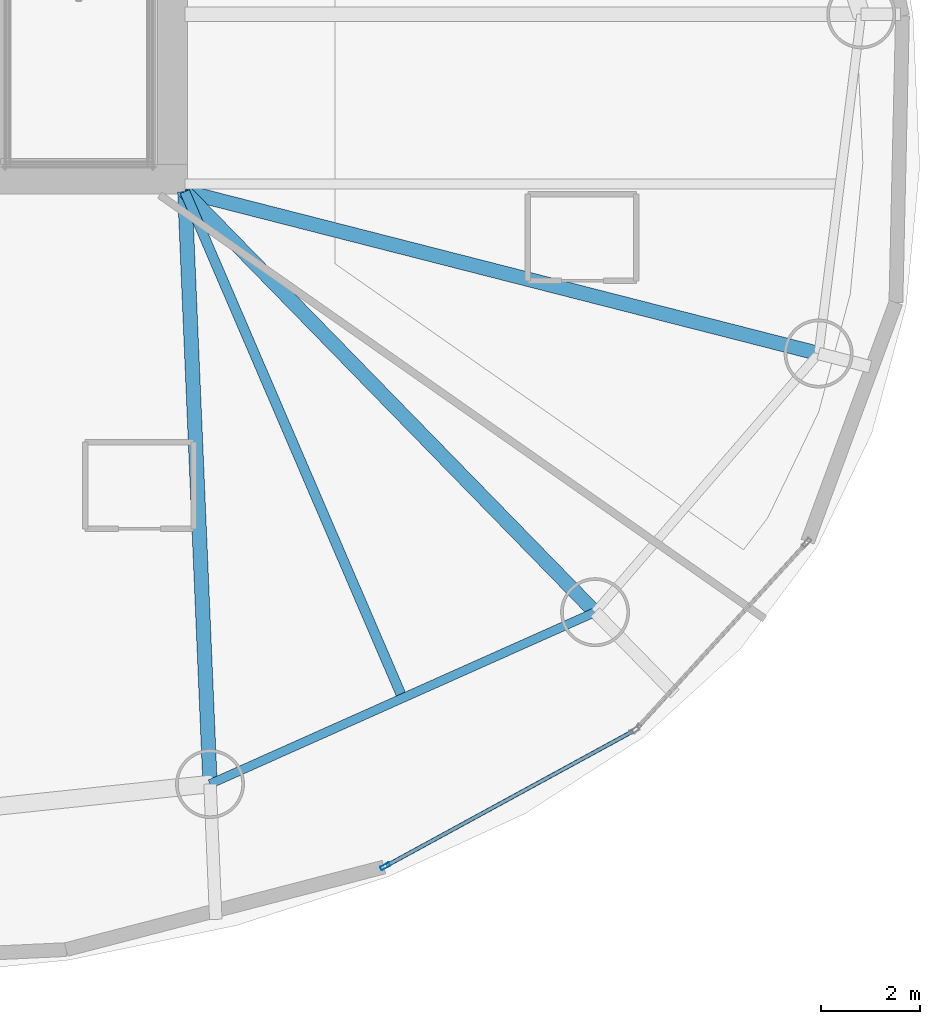
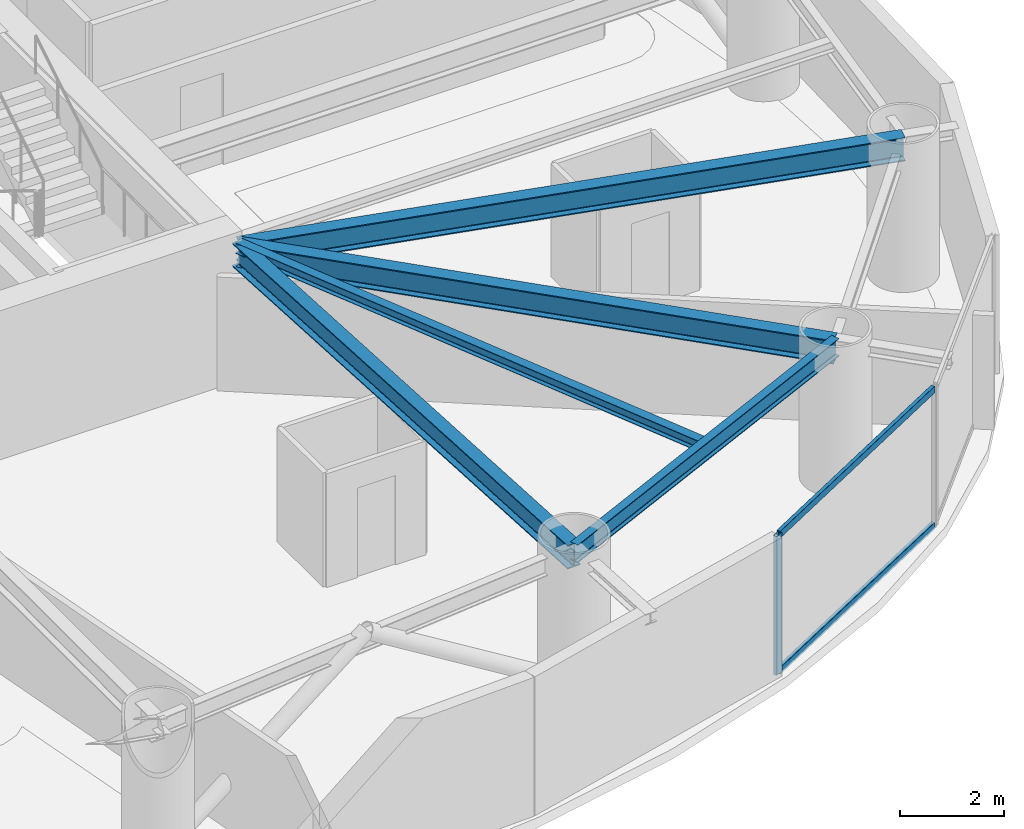
# One storey, part 8 of 20: 5 beams, 3 members, 1 element without a shape of its own.
"""IFC4 building model written with IfcOpenShell, lengths in metres."""

import ifcopenshell
import ifcopenshell.guid

model = None  # the IFC model being written
_history = None  # IfcOwnerHistory: only IFC2X3 demands one
_inside = {}  # id of a spatial element -> (the spatial element, [elements in it])
_under = {}  # id of a project, library or spatial element -> (it, [spatial elements below it])
_declared = {}  # id of a project -> (the project, [libraries it declares])
_typed = {}  # id of a type object -> (the type object, [elements of that type])
_made_of = {}  # id of a material, layer set ... -> (it, [elements and type objects made of it])


def new_model(schema):
    """Start an empty IFC model of exactly this schema.

    Asked for "IFC4X3", IfcOpenShell would pick the latest addendum, in which some entities
    have other attributes; the version numbers below select the first issue.
    IFC2X3 requires an IfcOwnerHistory on every rooted entity: one is made here for all.
    """
    global model, _history
    if schema == "IFC4X3":
        model = ifcopenshell.file(schema_version=(4, 3, 0, 0))
    else:
        model = ifcopenshell.file(schema=schema)
    _inside.clear()
    _under.clear()
    _declared.clear()
    _typed.clear()
    _made_of.clear()
    _history = None
    if model.schema == "IFC2X3":
        org = make("IfcOrganization", Name="unknown")
        user = make(
            "IfcPersonAndOrganization",
            ThePerson=make("IfcPerson", FamilyName="unknown"),
            TheOrganization=org,
        )
        app = make(
            "IfcApplication",
            ApplicationDeveloper=org,
            Version="unknown",
            ApplicationFullName="unknown",
            ApplicationIdentifier="unknown",
        )
        _history = make(
            "IfcOwnerHistory",
            OwningUser=user,
            OwningApplication=app,
            ChangeAction="ADDED",
            CreationDate=0,
        )
    return model


def make(cls, **values):
    """One entity of the class cls with the attributes given. An attribute that is None is left unset."""
    return model.create_entity(
        cls, **{name: value for name, value in values.items() if value is not None}
    )


def rooted(cls, **values):
    """An entity with a GlobalId (a new one), such as an element, a storey or a relation."""
    return make(cls, GlobalId=ifcopenshell.guid.new(), OwnerHistory=_history, **values)


def si_unit(unit_type, name, prefix=None):
    """IfcSIUnit, for example si_unit("LENGTHUNIT", "METRE", prefix="MILLI")."""
    return make("IfcSIUnit", UnitType=unit_type, Prefix=prefix, Name=name)


def assignment(units):
    """IfcUnitAssignment: the units of a project."""
    return None if units is None else make("IfcUnitAssignment", Units=units)


def point(xyz):
    """IfcCartesianPoint."""
    return None if xyz is None else make("IfcCartesianPoint", Coordinates=xyz)


def direction(xyz):
    """IfcDirection."""
    return None if xyz is None else make("IfcDirection", DirectionRatios=xyz)


def frame(location, z_axis=None, x_axis=None):
    """IfcAxis2Placement3D, a coordinate frame: its origin and axes. An axis left out is left unset."""
    return make(
        "IfcAxis2Placement3D",
        Location=point(location),
        Axis=direction(z_axis),
        RefDirection=direction(x_axis),
    )


def frame_2d(location, x_axis=None):
    """IfcAxis2Placement2D, a coordinate frame in the plane: its origin and x axis."""
    return make(
        "IfcAxis2Placement2D", Location=point(location), RefDirection=direction(x_axis)
    )


def origin():
    """The frame at (0, 0, 0) with its axes left unset."""
    return frame((0.0, 0.0, 0.0))


def origin_2d():
    """The frame at (0, 0) in the plane with its x axis left unset."""
    return frame_2d((0.0, 0.0))


def place(relative_to, where):
    """IfcLocalPlacement: puts the frame where relative to a parent placement (None: the world)."""
    return make(
        "IfcLocalPlacement", PlacementRelTo=relative_to, RelativePlacement=where
    )


def context(
    kind, dimensions, precision=None, world=None, true_north=None, identifier=None
):
    """IfcGeometricRepresentationContext, for example the 3D "Model" context."""
    return make(
        "IfcGeometricRepresentationContext",
        ContextIdentifier=identifier,
        ContextType=kind,
        CoordinateSpaceDimension=dimensions,
        Precision=precision,
        WorldCoordinateSystem=world,
        TrueNorth=true_north,
    )


def subcontext(parent, identifier, kind, view, scale=None):
    """IfcGeometricRepresentationSubContext, for example "Body" below "Model"."""
    return make(
        "IfcGeometricRepresentationSubContext",
        ContextIdentifier=identifier,
        ContextType=kind,
        ParentContext=parent,
        TargetScale=scale,
        TargetView=view,
    )


def project(units=None, contexts=None):
    """IfcProject with its units and contexts."""
    return rooted(
        "IfcProject",
        Name="project",
        RepresentationContexts=contexts,
        UnitsInContext=assignment(units),
    )


def spatial(cls, under=None, at=None, **own):
    """A site, building, storey or space (cls), placed at a placement, below another one or the project."""
    s = rooted(cls, ObjectPlacement=at, **own)
    if under is not None:
        _under.setdefault(under.id(), (under, []))[1].append(s)
    return s


def profile(cls, at=None, kind="AREA", **sizes):
    """A parametric profile (cls). Its sizes go by their IFC names, for example OverallWidth=200.0."""
    return make(cls, ProfileType=kind, Position=at, **sizes)


def hollow_rectangle(**sizes):
    """IfcRectangleHollowProfileDef."""
    return profile("IfcRectangleHollowProfileDef", **sizes)


def i_section(**sizes):
    """IfcIShapeProfileDef."""
    return profile("IfcIShapeProfileDef", **sizes)


def extrude(swept, where, along, depth):
    """IfcExtrudedAreaSolid: the profile swept, set in the frame where, extruded along a direction by depth."""
    return make(
        "IfcExtrudedAreaSolid",
        SweptArea=swept,
        Position=where,
        ExtrudedDirection=direction(along),
        Depth=depth,
    )


def shape(context_of_items, identifier, shape_type, items):
    """IfcShapeRepresentation: the items that make up one representation, for example the "Body"."""
    return make(
        "IfcShapeRepresentation",
        ContextOfItems=context_of_items,
        RepresentationIdentifier=identifier,
        RepresentationType=shape_type,
        Items=items,
    )


def material(Name=None, Category=None):
    """IfcMaterial."""
    return make("IfcMaterial", Name=Name, Category=Category)


def layer(
    of_material, thickness, ventilated=None, Name=None, Category=None, Priority=None
):
    """IfcMaterialLayer: one layer of a wall or slab, of a material (None: an air gap)."""
    return make(
        "IfcMaterialLayer",
        Material=of_material,
        LayerThickness=thickness,
        IsVentilated=ventilated,
        Name=Name,
        Category=Category,
        Priority=Priority,
    )


def layer_set(layers, Name=None):
    """IfcMaterialLayerSet."""
    return make("IfcMaterialLayerSet", MaterialLayers=layers, LayerSetName=Name)


def material_profile(
    of_material, cross_section, Name=None, Category=None, Priority=None
):
    """IfcMaterialProfile: a cross section and its material."""
    return make(
        "IfcMaterialProfile",
        Name=Name,
        Material=of_material,
        Profile=cross_section,
        Priority=Priority,
        Category=Category,
    )


def profile_set(profiles, Name=None, composite=None):
    """IfcMaterialProfileSet."""
    return make(
        "IfcMaterialProfileSet",
        Name=Name,
        MaterialProfiles=profiles,
        CompositeProfile=composite,
    )


def made_of(thing, what):
    """Note that an element or type object is made of a material, layer set ...; save() writes the relation."""
    if what is not None:
        _made_of.setdefault(what.id(), (what, []))[1].append(thing)
    return thing


def type_object(cls, material=None, **own):
    """A type object (cls), such as IfcWallType, which elements share."""
    return made_of(rooted(cls, **own), material)


def element(
    cls,
    number,
    at=None,
    inside=None,
    cuts=None,
    type_object=None,
    material=None,
    context=None,
    identifier="Body",
    shape_type=None,
    held_by="IfcProductDefinitionShape",
    body=None,
    shapes=None,
    **own,
):
    """One element of the class cls, such as IfcWall. Its Tag is "e" and its number.

    at: its placement. inside: the storey or other place that contains it. cuts: it is an
    opening in that element (IfcRelVoidsElement). A single representation is given by context,
    identifier, shape_type and body (its items); several are given by shapes. held_by: the class
    of the entity that holds the representations. save() writes the other relations.
    """
    e = rooted(cls, Tag="e%d" % number, ObjectPlacement=at, **own)
    if body is not None:
        shapes = [shape(context, identifier, shape_type, body)]
    if shapes is not None:
        e.Representation = make(held_by, Representations=shapes)
    if inside is not None:
        _inside.setdefault(inside.id(), (inside, []))[1].append(e)
    if cuts is not None:
        rooted(
            "IfcRelVoidsElement", RelatingBuildingElement=cuts, RelatedOpeningElement=e
        )
    if type_object is not None:
        _typed.setdefault(type_object.id(), (type_object, []))[1].append(e)
    return made_of(e, material)


def aggregate(whole, parts):
    """IfcRelAggregates: a whole, such as a stair, and the parts it consists of."""
    return rooted("IfcRelAggregates", RelatingObject=whole, RelatedObjects=parts)


def save(model, path):
    """Write the relations noted so far, then the file.

    IfcRelAggregates (storeys below a building ...), IfcRelContainedInSpatialStructure (elements
    in a storey), IfcRelDefinesByType, IfcRelAssociatesMaterial and IfcRelDeclares: one each for
    every whole, place, type object, material and project.
    """
    for whole, parts in _under.values():
        aggregate(whole, parts)
    for where, things in _inside.values():
        rooted(
            "IfcRelContainedInSpatialStructure",
            RelatedElements=things,
            RelatingStructure=where,
        )
    for kind, things in _typed.values():
        rooted("IfcRelDefinesByType", RelatedObjects=things, RelatingType=kind)
    for what, things in _made_of.values():
        rooted("IfcRelAssociatesMaterial", RelatedObjects=things, RelatingMaterial=what)
    for by, libraries in _declared.values():
        rooted("IfcRelDeclares", RelatingContext=by, RelatedDefinitions=libraries)
    model.write(path)


model = new_model("IFC4")

# Units and contexts
model_context = context("Model", 3, precision=1e-05, world=origin(), true_north=direction((0.0, 1.0)))
body_context = subcontext(model_context, "Body", "Model", "MODEL_VIEW")
ifc_project = project(units=[si_unit("LENGTHUNIT", "METRE"), si_unit("AREAUNIT", "SQUARE_METRE"), si_unit("VOLUMEUNIT", "CUBIC_METRE"), si_unit("PLANEANGLEUNIT", "RADIAN"), si_unit("MASSUNIT", "GRAM", prefix="KILO")], contexts=[model_context])

# Site, building, storey
site_placement = place(None, origin())
site = spatial("IfcSite", under=ifc_project, at=site_placement, CompositionType="ELEMENT")
building_placement = place(site_placement, origin())
building = spatial("IfcBuilding", under=site, at=building_placement, Name="Bramvorn Convention Spire", CompositionType="ELEMENT")
storey_placement = place(building_placement, frame((0.0, 0.0, 155.300048828125)))
storey = spatial("IfcBuildingStorey", under=building, at=storey_placement, Name="L39", CompositionType="ELEMENT", Elevation=155.300048828125)

# Beams
ifc_material_1 = material(Name="Steel CSA G40.21 Grade 350 (350W)", Category="steel")
ifc_material_profile_1 = material_profile(ifc_material_1, i_section(OverallWidth=0.201904296875, OverallDepth=0.2470703125, WebThickness=0.00732421875, FlangeThickness=0.010986328125, FilletRadius=0.011962890625, at=origin_2d()))
ifc_profile_set_1 = profile_set([ifc_material_profile_1], Name="Steel CSA G40.21 Grade 350 (350W) - W250X49")
beam_type_1 = type_object("IfcBeamType", Name="BM-W250X49", PredefinedType="JOIST", material=ifc_profile_set_1)
beam_1_placement = place(storey_placement, frame((49.25, 18.550048828125, 3.136474609375), z_axis=(0.394937739893, -0.918707886985, 0.0), x_axis=(0.918707886985, 0.394937739893, 0.0)))
element("IfcBeam", 1, at=beam_1_placement, inside=storey, type_object=beam_type_1, Name="L39 composite floor joist 15", PredefinedType="JOIST", context=body_context, shape_type="SweptSolid", body=[
    extrude(i_section(OverallWidth=0.201904296875, OverallDepth=0.2470703125, WebThickness=0.00732421875, FlangeThickness=0.010986328125, FilletRadius=0.011962890625, at=origin_2d()), origin(), (0.0, 0.0, 1.0), 11.19384765625),
])
ifc_material_profile_2 = material_profile(ifc_material_1, i_section(OverallWidth=0.180908203125, OverallDepth=0.4169921875, WebThickness=0.010986328125, FlangeThickness=0.018310546875, FilletRadius=0.01611328125, at=origin_2d()))
ifc_profile_set_2 = profile_set([ifc_material_profile_2], Name="Steel CSA G40.21 Grade 350 (350W) - W410X85")
beam_type_2 = type_object("IfcBeamType", Name="BM-W410X85", PredefinedType="JOIST", material=ifc_profile_set_2)
beam_2_placement = place(storey_placement, frame((49.76171875, 6.521240234375, 3.051513671875), z_axis=(0.913169534701, 0.407579931908, 0.0), x_axis=(-0.407579931908, 0.913169534701, 0.0)))
element("IfcBeam", 2, at=beam_2_placement, inside=storey, type_object=beam_type_2, Name="L39 mega-column ring beam 15", PredefinedType="JOIST", context=body_context, shape_type="SweptSolid", body=[
    extrude(i_section(OverallWidth=0.180908203125, OverallDepth=0.4169921875, WebThickness=0.010986328125, FlangeThickness=0.018310546875, FilletRadius=0.01611328125, at=origin_2d()), origin(), (0.0, 0.0, 1.0), 8.5615234375),
])
ifc_material_profile_3 = material_profile(ifc_material_1, i_section(OverallWidth=0.2919921875, OverallDepth=0.551025390625, WebThickness=0.01513671875, FlangeThickness=0.0244140625, FilletRadius=0.01904296875, at=origin_2d()))
ifc_profile_set_3 = profile_set([ifc_material_profile_3], Name="Steel CSA G40.21 Grade 350 (350W) - W530X182")
beam_type_3 = type_object("IfcBeamType", Name="BM-W530X182", PredefinedType="BEAM", material=ifc_profile_set_3)
beam_3_placement = place(storey_placement, frame((49.25, 18.550048828125, 2.984375), z_axis=(0.968872976577, -0.247558387576, 0.0), x_axis=(0.247558387576, 0.968872976577, 0.0)))
element("IfcBeam", 3, at=beam_3_placement, inside=storey, type_object=beam_type_3, Name="L39 radial floor girder MC01", PredefinedType="BEAM", context=body_context, shape_type="SweptSolid", body=[
    extrude(i_section(OverallWidth=0.2919921875, OverallDepth=0.551025390625, WebThickness=0.01513671875, FlangeThickness=0.0244140625, FilletRadius=0.01904296875, at=origin_2d()), origin(), (0.0, 0.0, 1.0), 13.281005859375),
])
beam_4_placement = place(storey_placement, frame((49.25, 18.550048828125, 2.984375), z_axis=(0.042502657955, -0.999096353745, 0.0), x_axis=(0.999096353745, 0.042502657955, 0.0)))
element("IfcBeam", 4, at=beam_4_placement, inside=storey, type_object=beam_type_3, Name="L39 radial floor girder MC15", PredefinedType="BEAM", context=body_context, shape_type="SweptSolid", body=[
    extrude(i_section(OverallWidth=0.2919921875, OverallDepth=0.551025390625, WebThickness=0.01513671875, FlangeThickness=0.0244140625, FilletRadius=0.01904296875, at=origin_2d()), origin(), (0.0, 0.0, 1.0), 12.039794921875),
])
beam_5_placement = place(storey_placement, frame((49.25, 18.550048828125, 2.984375), z_axis=(0.698272445638, -0.715832097397, 0.0), x_axis=(0.715832097397, 0.698272445638, 0.0)))
element("IfcBeam", 5, at=beam_5_placement, inside=storey, type_object=beam_type_3, Name="L39 radial floor girder MC16", PredefinedType="BEAM", context=body_context, shape_type="SweptSolid", body=[
    extrude(i_section(OverallWidth=0.2919921875, OverallDepth=0.551025390625, WebThickness=0.01513671875, FlangeThickness=0.0244140625, FilletRadius=0.01904296875, at=origin_2d()), origin(), (0.0, 0.0, 1.0), 11.92919921875),
])

# Curtain wall, members
ifc_material_2 = material(Name="Anodised Bronze Unitised Curtain Wall", Category="aluminium")
ifc_layer = layer(ifc_material_2, 0.179931640625)
ifc_layer_set = layer_set([ifc_layer], Name="Anodised Bronze Unitised Curtain Wall - CW-HTL-FRIT")
curtain_wall_type = type_object("IfcCurtainWallType", Name="CW-HTL-FRIT", PredefinedType="USERDEFINED", material=ifc_layer_set)
curtain_wall_placement = place(storey_placement, origin())
curtain_wall = element("IfcCurtainWall", 6, at=curtain_wall_placement, inside=storey, type_object=curtain_wall_type, Name="L39 fritted glass curtain wall 23", ObjectType="UNITISED CURTAIN WALL", PredefinedType="USERDEFINED")
ifc_material_3 = material(Name="Anodised Bronze Aluminium 6063-T6", Category="aluminium")
ifc_material_profile_4 = material_profile(ifc_material_3, hollow_rectangle(XDim=0.080078125, YDim=0.199951171875, WallThickness=0.00390625, InnerFilletRadius=0.0009765625, OuterFilletRadius=0.00390625, at=origin_2d()))
ifc_profile_set_4 = profile_set([ifc_material_profile_4], Name="Anodised Bronze Aluminium 6063-T6 - CWM80X200")
member_type_1 = type_object("IfcMemberType", Name="CW-MUL-180", PredefinedType="MULLION", material=ifc_profile_set_4)
member_1_placement = place(storey_placement, frame((53.318603515625, 4.85009765625, 0.0), z_axis=(0.0, 0.0, 1.0), x_axis=(0.478811218838, -0.877917887228, 0.0)))
member_1 = element("IfcMember", 7, at=member_1_placement, type_object=member_type_1, Name="CW2 mullion 2", PredefinedType="MULLION", context=body_context, shape_type="SweptSolid", body=[
    extrude(hollow_rectangle(XDim=0.080078125, YDim=0.199951171875, WallThickness=0.00390625, InnerFilletRadius=0.0009765625, OuterFilletRadius=0.00390625, at=origin_2d()), origin(), (0.0, 0.0, 1.0), 3.260009765625),
])
ifc_material_profile_5 = material_profile(ifc_material_3, hollow_rectangle(XDim=0.080078125, YDim=0.159912109375, WallThickness=0.00390625, InnerFilletRadius=0.0009765625, OuterFilletRadius=0.00390625, at=origin_2d()))
ifc_profile_set_5 = profile_set([ifc_material_profile_5], Name="Anodised Bronze Aluminium 6063-T6 - CWT80X160")
member_type_2 = type_object("IfcMemberType", Name="CW-TRN-150", PredefinedType="USERDEFINED", material=ifc_profile_set_5)
member_2_placement = place(storey_placement, frame((58.351318359375, 7.594970703125, 0.030029296875), z_axis=(-0.877915205981, -0.47881613497, 0.0), x_axis=(0.47881613497, -0.877915205981, 0.0)))
member_2 = element("IfcMember", 8, at=member_2_placement, type_object=member_type_2, Name="CW2 transom 1.1", ObjectType="TRANSOM", PredefinedType="USERDEFINED", context=body_context, shape_type="SweptSolid", body=[
    extrude(hollow_rectangle(XDim=0.080078125, YDim=0.159912109375, WallThickness=0.00390625, InnerFilletRadius=0.0009765625, OuterFilletRadius=0.00390625, at=origin_2d()), origin(), (0.0, 0.0, 1.0), 5.70263671875),
])
member_3_placement = place(storey_placement, frame((58.351318359375, 7.594970703125, 3.22998046875), z_axis=(-0.877915205981, -0.47881613497, 0.0), x_axis=(0.47881613497, -0.877915205981, 0.0)))
member_3 = element("IfcMember", 9, at=member_3_placement, type_object=member_type_2, Name="CW2 transom 1.2", ObjectType="TRANSOM", PredefinedType="USERDEFINED", context=body_context, shape_type="SweptSolid", body=[
    extrude(hollow_rectangle(XDim=0.080078125, YDim=0.159912109375, WallThickness=0.00390625, InnerFilletRadius=0.0009765625, OuterFilletRadius=0.00390625, at=origin_2d()), origin(), (0.0, 0.0, 1.0), 5.70263671875),
])
aggregate(curtain_wall, [member_1, member_2, member_3])

save(model, "model.ifc")
